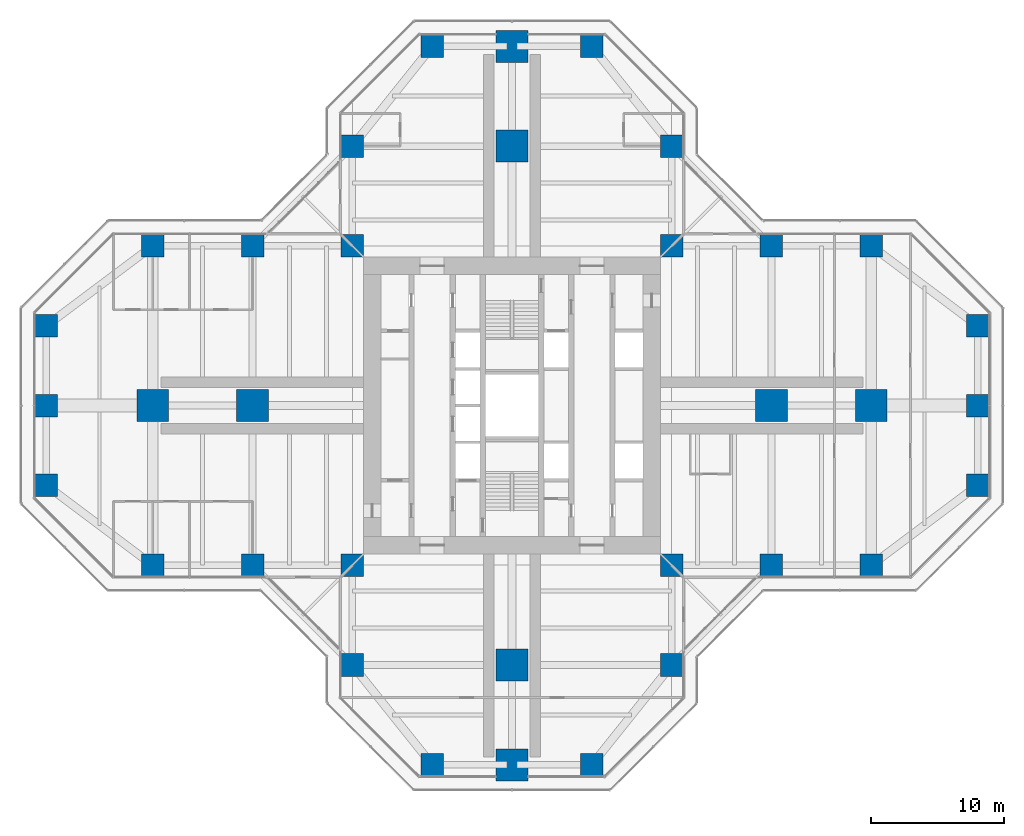
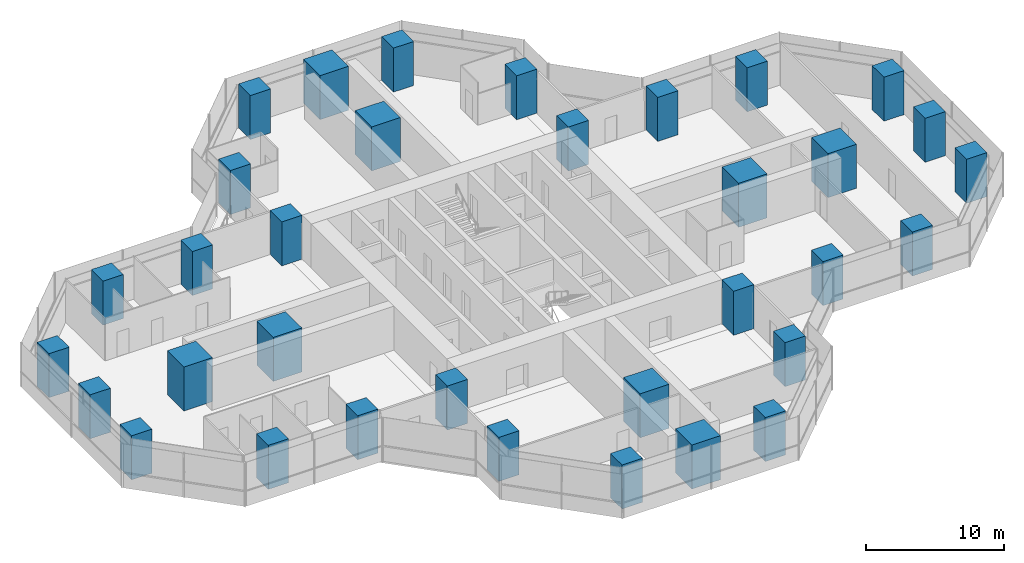
# One storey, part 1 of 20: 34 columns.
"""IFC4 building model written with IfcOpenShell, lengths in metres."""

from ifc_helpers import new_model, si_unit, direction, frame, origin, origin_2d, place, context, subcontext, project, spatial, rectangle, extrude, material, material_profile, profile_set, type_object, element, save


model = new_model("IFC4")

# Units and contexts
model_context = context("Model", 3, precision=1e-05, world=origin(), true_north=direction((0.0, 1.0)))
body_context = subcontext(model_context, "Body", "Model", "MODEL_VIEW")
ifc_project = project(units=[si_unit("LENGTHUNIT", "METRE"), si_unit("AREAUNIT", "SQUARE_METRE"), si_unit("VOLUMEUNIT", "CUBIC_METRE"), si_unit("PLANEANGLEUNIT", "RADIAN"), si_unit("MASSUNIT", "GRAM", prefix="KILO")], contexts=[model_context])

# Site, building, storey
site_placement = place(None, origin())
site = spatial("IfcSite", under=ifc_project, at=site_placement, CompositionType="ELEMENT")
building_placement = place(site_placement, origin())
building = spatial("IfcBuilding", under=site, at=building_placement, Name="Mizan Broadcast Tower", CompositionType="ELEMENT")
storey_placement = place(building_placement, frame((0.0, 0.0, 171.0)))
storey = spatial("IfcBuildingStorey", under=building, at=storey_placement, Name="L39", CompositionType="ELEMENT", Elevation=171.0)

# Columns
ifc_material_1 = material(Name="Concrete C70/85", Category="concrete")
ifc_material_profile_1 = material_profile(ifc_material_1, rectangle(XDim=1.699951171875, YDim=1.699951171875, at=origin_2d()), Name="RC 1700x1700")
ifc_profile_set_1 = profile_set([ifc_material_profile_1], Name="Concrete C70/85")
column_type_1 = type_object("IfcColumnType", Name="RC COLUMN 1700x1700 C70/85", PredefinedType="COLUMN", material=ifc_profile_set_1)
for number, where, z_axis, x_axis, name in (
    (1, (-6.0, -27.0, 0.0), (0.0, 0.0, 1.0), (1.0, 0.0, 0.0), "Column 5/B L39"),
    (2, (6.0, -27.0, 0.0), (0.0, 0.0, 1.0), (1.0, 0.0, 0.0), "Column 7/B L39"),
    (3, (-12.0, -19.5, 0.0), (0.0, 0.0, 1.0), (1.0, 0.0, 0.0), "Column 4/C L39"),
    (4, (12.0, -19.5, 0.0), (0.0, 0.0, 1.0), (1.0, 0.0, 0.0), "Column 8/C L39"),
    (5, (-27.0, -12.0, 0.0), (0.0, 0.0, 1.0), (1.0, 0.0, 0.0), "Column 2/D L39"),
    (6, (-19.5, -12.0, 0.0), (0.0, 0.0, 1.0), (1.0, 0.0, 0.0), "Column 3/D L39"),
    (7, (-12.0, -12.0, 0.0), (0.0, 0.0, 1.0), (1.0, 0.0, 0.0), "Column 4/D L39"),
    (8, (12.0, -12.0, 0.0), (0.0, 0.0, 1.0), (1.0, 0.0, 0.0), "Column 8/D L39"),
    (9, (19.5, -12.0, 0.0), (0.0, 0.0, 1.0), (1.0, 0.0, 0.0), "Column 9/D L39"),
    (10, (27.0, -12.0, 0.0), (0.0, 0.0, 1.0), (1.0, 0.0, 0.0), "Column 10/D L39"),
    (11, (-35.0, -6.0, 0.0), (0.0, 0.0, 1.0), (1.0, 0.0, 0.0), "Column 1/E L39"),
    (12, (35.0, -6.0, 0.0), (0.0, 0.0, 1.0), (1.0, 0.0, 0.0), "Column 11/E L39"),
    (13, (-35.0, 0.0, 0.0), (0.0, 0.0, 1.0), (1.0, 0.0, 0.0), "Column 1/F L39"),
    (14, (35.0, 0.0, 0.0), (0.0, 0.0, 1.0), (1.0, 0.0, 0.0), "Column 11/F L39"),
    (15, (-35.0, 6.0, 0.0), (0.0, 0.0, 1.0), (1.0, 0.0, 0.0), "Column 1/G L39"),
    (16, (35.0, 6.0, 0.0), (0.0, 0.0, 1.0), (1.0, 0.0, 0.0), "Column 11/G L39"),
    (17, (-27.0, 12.0, 0.0), (0.0, 0.0, 1.0), (1.0, 0.0, 0.0), "Column 2/H L39"),
    (18, (-19.5, 12.0, 0.0), (0.0, 0.0, 1.0), (1.0, 0.0, 0.0), "Column 3/H L39"),
    (19, (-12.0, 12.0, 0.0), (0.0, 0.0, 1.0), (1.0, 0.0, 0.0), "Column 4/H L39"),
    (20, (12.0, 12.0, 0.0), (0.0, 0.0, 1.0), (1.0, 0.0, 0.0), "Column 8/H L39"),
    (21, (19.5, 12.0, 0.0), (0.0, 0.0, 1.0), (1.0, 0.0, 0.0), "Column 9/H L39"),
    (22, (27.0, 12.0, 0.0), (0.0, 0.0, 1.0), (1.0, 0.0, 0.0), "Column 10/H L39"),
    (23, (-12.0, 19.5, 0.0), (0.0, 0.0, 1.0), (1.0, 0.0, 0.0), "Column 4/J L39"),
    (24, (12.0, 19.5, 0.0), (0.0, 0.0, 1.0), (1.0, 0.0, 0.0), "Column 8/J L39"),
    (25, (-6.0, 27.0, 0.0), (0.0, 0.0, 1.0), (1.0, 0.0, 0.0), "Column 5/K L39"),
    (26, (6.0, 27.0, 0.0), (0.0, 0.0, 1.0), (1.0, 0.0, 0.0), "Column 7/K L39"),
):
    element("IfcColumn", number, at=place(storey_placement, frame(where, z_axis=z_axis, x_axis=x_axis)), inside=storey, type_object=column_type_1, Name=name, PredefinedType="COLUMN", context=body_context, shape_type="SweptSolid", body=[
        extrude(rectangle(XDim=1.699951171875, YDim=1.699951171875, at=origin_2d()), origin(), (0.0, 0.0, 1.0), 3.89990234375),
    ])
ifc_material_2 = material(Name="Concrete C70/85", Category="concrete")
ifc_material_profile_2 = material_profile(ifc_material_2, rectangle(XDim=2.39990234375, YDim=2.39990234375, at=origin_2d()), Name="RC 2400x2400")
ifc_profile_set_2 = profile_set([ifc_material_profile_2], Name="Concrete C70/85")
column_type_2 = type_object("IfcColumnType", Name="RC COLUMN 2400x2400 C70/85", PredefinedType="COLUMN", material=ifc_profile_set_2)
for number, where, z_axis, x_axis, name in (
    (27, (0.0, -27.0, 0.0), (0.0, 0.0, 1.0), (1.0, 0.0, 0.0), "Column 6/B L39"),
    (28, (0.0, -19.5, 0.0), (0.0, 0.0, 1.0), (1.0, 0.0, 0.0), "Column 6/C L39"),
    (29, (-27.0, 0.0, 0.0), (0.0, 0.0, 1.0), (1.0, 0.0, 0.0), "Column 2/F L39"),
    (30, (-19.5, 0.0, 0.0), (0.0, 0.0, 1.0), (1.0, 0.0, 0.0), "Column 3/F L39"),
    (31, (19.5, 0.0, 0.0), (0.0, 0.0, 1.0), (1.0, 0.0, 0.0), "Column 9/F L39"),
    (32, (27.0, 0.0, 0.0), (0.0, 0.0, 1.0), (1.0, 0.0, 0.0), "Column 10/F L39"),
    (33, (0.0, 19.5, 0.0), (0.0, 0.0, 1.0), (1.0, 0.0, 0.0), "Column 6/J L39"),
    (34, (0.0, 27.0, 0.0), (0.0, 0.0, 1.0), (1.0, 0.0, 0.0), "Column 6/K L39"),
):
    element("IfcColumn", number, at=place(storey_placement, frame(where, z_axis=z_axis, x_axis=x_axis)), inside=storey, type_object=column_type_2, Name=name, PredefinedType="COLUMN", context=body_context, shape_type="SweptSolid", body=[
        extrude(rectangle(XDim=2.39990234375, YDim=2.39990234375, at=origin_2d()), origin(), (0.0, 0.0, 1.0), 3.89990234375),
    ])

save(model, "model.ifc")
